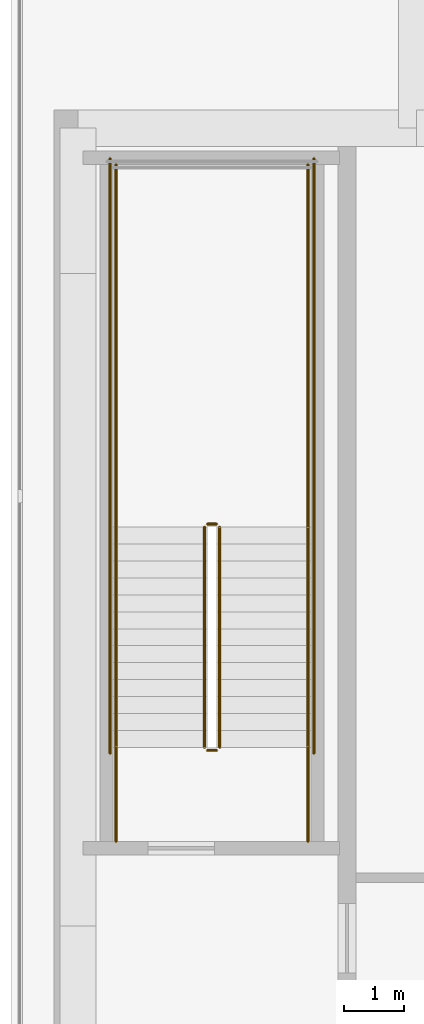
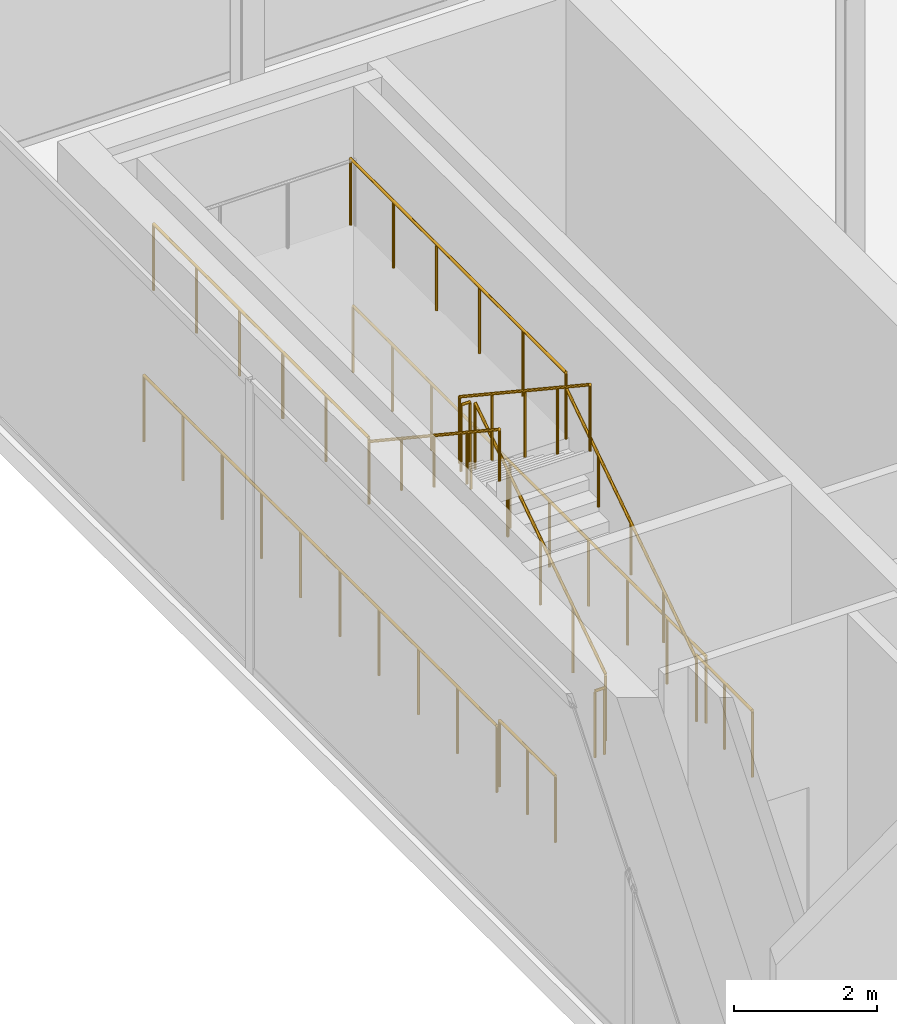
# One storey, part 12 of 14: 12 railings.
"""IFC4 building model written with IfcOpenShell, lengths in metres."""

import ifcopenshell
import ifcopenshell.guid

model = None  # the IFC model being written
_history = None  # IfcOwnerHistory: only IFC2X3 demands one
_inside = {}  # id of a spatial element -> (the spatial element, [elements in it])
_under = {}  # id of a project, library or spatial element -> (it, [spatial elements below it])
_declared = {}  # id of a project -> (the project, [libraries it declares])
_typed = {}  # id of a type object -> (the type object, [elements of that type])
_made_of = {}  # id of a material, layer set ... -> (it, [elements and type objects made of it])


def new_model(schema):
    """Start an empty IFC model of exactly this schema.

    Asked for "IFC4X3", IfcOpenShell would pick the latest addendum, in which some entities
    have other attributes; the version numbers below select the first issue.
    IFC2X3 requires an IfcOwnerHistory on every rooted entity: one is made here for all.
    """
    global model, _history
    if schema == "IFC4X3":
        model = ifcopenshell.file(schema_version=(4, 3, 0, 0))
    else:
        model = ifcopenshell.file(schema=schema)
    _inside.clear()
    _under.clear()
    _declared.clear()
    _typed.clear()
    _made_of.clear()
    _history = None
    if model.schema == "IFC2X3":
        org = make("IfcOrganization", Name="unknown")
        user = make(
            "IfcPersonAndOrganization",
            ThePerson=make("IfcPerson", FamilyName="unknown"),
            TheOrganization=org,
        )
        app = make(
            "IfcApplication",
            ApplicationDeveloper=org,
            Version="unknown",
            ApplicationFullName="unknown",
            ApplicationIdentifier="unknown",
        )
        _history = make(
            "IfcOwnerHistory",
            OwningUser=user,
            OwningApplication=app,
            ChangeAction="ADDED",
            CreationDate=0,
        )
    return model


def make(cls, **values):
    """One entity of the class cls with the attributes given. An attribute that is None is left unset."""
    return model.create_entity(
        cls, **{name: value for name, value in values.items() if value is not None}
    )


def rooted(cls, **values):
    """An entity with a GlobalId (a new one), such as an element, a storey or a relation."""
    return make(cls, GlobalId=ifcopenshell.guid.new(), OwnerHistory=_history, **values)


def si_unit(unit_type, name, prefix=None):
    """IfcSIUnit, for example si_unit("LENGTHUNIT", "METRE", prefix="MILLI")."""
    return make("IfcSIUnit", UnitType=unit_type, Prefix=prefix, Name=name)


def assignment(units):
    """IfcUnitAssignment: the units of a project."""
    return None if units is None else make("IfcUnitAssignment", Units=units)


def point(xyz):
    """IfcCartesianPoint."""
    return None if xyz is None else make("IfcCartesianPoint", Coordinates=xyz)


def direction(xyz):
    """IfcDirection."""
    return None if xyz is None else make("IfcDirection", DirectionRatios=xyz)


def frame(location, z_axis=None, x_axis=None):
    """IfcAxis2Placement3D, a coordinate frame: its origin and axes. An axis left out is left unset."""
    return make(
        "IfcAxis2Placement3D",
        Location=point(location),
        Axis=direction(z_axis),
        RefDirection=direction(x_axis),
    )


def frame_2d(location, x_axis=None):
    """IfcAxis2Placement2D, a coordinate frame in the plane: its origin and x axis."""
    return make(
        "IfcAxis2Placement2D", Location=point(location), RefDirection=direction(x_axis)
    )


def origin():
    """The frame at (0, 0, 0) with its axes left unset."""
    return frame((0.0, 0.0, 0.0))


def origin_2d():
    """The frame at (0, 0) in the plane with its x axis left unset."""
    return frame_2d((0.0, 0.0))


def place(relative_to, where):
    """IfcLocalPlacement: puts the frame where relative to a parent placement (None: the world)."""
    return make(
        "IfcLocalPlacement", PlacementRelTo=relative_to, RelativePlacement=where
    )


def context(
    kind, dimensions, precision=None, world=None, true_north=None, identifier=None
):
    """IfcGeometricRepresentationContext, for example the 3D "Model" context."""
    return make(
        "IfcGeometricRepresentationContext",
        ContextIdentifier=identifier,
        ContextType=kind,
        CoordinateSpaceDimension=dimensions,
        Precision=precision,
        WorldCoordinateSystem=world,
        TrueNorth=true_north,
    )


def subcontext(parent, identifier, kind, view, scale=None):
    """IfcGeometricRepresentationSubContext, for example "Body" below "Model"."""
    return make(
        "IfcGeometricRepresentationSubContext",
        ContextIdentifier=identifier,
        ContextType=kind,
        ParentContext=parent,
        TargetScale=scale,
        TargetView=view,
    )


def project(units=None, contexts=None):
    """IfcProject with its units and contexts."""
    return rooted(
        "IfcProject",
        Name="project",
        RepresentationContexts=contexts,
        UnitsInContext=assignment(units),
    )


def spatial(cls, under=None, at=None, **own):
    """A site, building, storey or space (cls), placed at a placement, below another one or the project."""
    s = rooted(cls, ObjectPlacement=at, **own)
    if under is not None:
        _under.setdefault(under.id(), (under, []))[1].append(s)
    return s


def profile(cls, at=None, kind="AREA", **sizes):
    """A parametric profile (cls). Its sizes go by their IFC names, for example OverallWidth=200.0."""
    return make(cls, ProfileType=kind, Position=at, **sizes)


def circle(**sizes):
    """IfcCircleProfileDef."""
    return profile("IfcCircleProfileDef", **sizes)


def extrude(swept, where, along, depth):
    """IfcExtrudedAreaSolid: the profile swept, set in the frame where, extruded along a direction by depth."""
    return make(
        "IfcExtrudedAreaSolid",
        SweptArea=swept,
        Position=where,
        ExtrudedDirection=direction(along),
        Depth=depth,
    )


def shape(context_of_items, identifier, shape_type, items):
    """IfcShapeRepresentation: the items that make up one representation, for example the "Body"."""
    return make(
        "IfcShapeRepresentation",
        ContextOfItems=context_of_items,
        RepresentationIdentifier=identifier,
        RepresentationType=shape_type,
        Items=items,
    )


def material(Name=None, Category=None):
    """IfcMaterial."""
    return make("IfcMaterial", Name=Name, Category=Category)


def made_of(thing, what):
    """Note that an element or type object is made of a material, layer set ...; save() writes the relation."""
    if what is not None:
        _made_of.setdefault(what.id(), (what, []))[1].append(thing)
    return thing


def type_object(cls, material=None, **own):
    """A type object (cls), such as IfcWallType, which elements share."""
    return made_of(rooted(cls, **own), material)


def element(
    cls,
    number,
    at=None,
    inside=None,
    cuts=None,
    type_object=None,
    material=None,
    context=None,
    identifier="Body",
    shape_type=None,
    held_by="IfcProductDefinitionShape",
    body=None,
    shapes=None,
    **own,
):
    """One element of the class cls, such as IfcWall. Its Tag is "e" and its number.

    at: its placement. inside: the storey or other place that contains it. cuts: it is an
    opening in that element (IfcRelVoidsElement). A single representation is given by context,
    identifier, shape_type and body (its items); several are given by shapes. held_by: the class
    of the entity that holds the representations. save() writes the other relations.
    """
    e = rooted(cls, Tag="e%d" % number, ObjectPlacement=at, **own)
    if body is not None:
        shapes = [shape(context, identifier, shape_type, body)]
    if shapes is not None:
        e.Representation = make(held_by, Representations=shapes)
    if inside is not None:
        _inside.setdefault(inside.id(), (inside, []))[1].append(e)
    if cuts is not None:
        rooted(
            "IfcRelVoidsElement", RelatingBuildingElement=cuts, RelatedOpeningElement=e
        )
    if type_object is not None:
        _typed.setdefault(type_object.id(), (type_object, []))[1].append(e)
    return made_of(e, material)


def aggregate(whole, parts):
    """IfcRelAggregates: a whole, such as a stair, and the parts it consists of."""
    return rooted("IfcRelAggregates", RelatingObject=whole, RelatedObjects=parts)


def save(model, path):
    """Write the relations noted so far, then the file.

    IfcRelAggregates (storeys below a building ...), IfcRelContainedInSpatialStructure (elements
    in a storey), IfcRelDefinesByType, IfcRelAssociatesMaterial and IfcRelDeclares: one each for
    every whole, place, type object, material and project.
    """
    for whole, parts in _under.values():
        aggregate(whole, parts)
    for where, things in _inside.values():
        rooted(
            "IfcRelContainedInSpatialStructure",
            RelatedElements=things,
            RelatingStructure=where,
        )
    for kind, things in _typed.values():
        rooted("IfcRelDefinesByType", RelatedObjects=things, RelatingType=kind)
    for what, things in _made_of.values():
        rooted("IfcRelAssociatesMaterial", RelatedObjects=things, RelatingMaterial=what)
    for by, libraries in _declared.values():
        rooted("IfcRelDeclares", RelatingContext=by, RelatedDefinitions=libraries)
    model.write(path)


model = new_model("IFC4")

# Units and contexts
model_context = context("Model", 3, precision=1e-05, world=origin(), true_north=direction((0.0, 1.0)))
body_context = subcontext(model_context, "Body", "Model", "MODEL_VIEW")
ifc_project = project(units=[si_unit("LENGTHUNIT", "METRE"), si_unit("AREAUNIT", "SQUARE_METRE"), si_unit("VOLUMEUNIT", "CUBIC_METRE"), si_unit("PLANEANGLEUNIT", "RADIAN"), si_unit("MASSUNIT", "GRAM", prefix="KILO")], contexts=[model_context])

# Site, building, storey
site_placement = place(None, origin())
site = spatial("IfcSite", under=ifc_project, at=site_placement, CompositionType="ELEMENT")
building_placement = place(site_placement, origin())
building = spatial("IfcBuilding", under=site, at=building_placement, Name="Khairoan Windgate Tower", CompositionType="ELEMENT")
storey_placement = place(building_placement, frame((0.0, 0.0, 325.199951171875)))
storey = spatial("IfcBuildingStorey", under=building, at=storey_placement, Name="L78", CompositionType="ELEMENT", Elevation=325.199951171875)

# Railings
ifc_material_1 = material(Name="Anodised Bronze Aluminium 6063-T6", Category="aluminium")
railing_type_1 = type_object("IfcRailingType", Name="Stair Wall Handrail SHR-900", PredefinedType="HANDRAIL", material=ifc_material_1)
railing_1_placement = place(storey_placement, frame((-16.199951171875, 2.9599609375, 0.185791015625)))
element("IfcRailing", 1, at=railing_1_placement, inside=storey, type_object=railing_type_1, Name="L78 ST2 stair handrail 1", PredefinedType="HANDRAIL", context=body_context, shape_type="SweptSolid", body=[
    extrude(circle(Radius=0.02392578125, at=origin_2d()), frame((0.0, 0.0, 0.8759765625), z_axis=(0.0, 0.833363587613, 0.552725185641), x_axis=(-1.0, 0.0, 0.0)), (0.0, 0.0, 1.0), 4.367919921875),
    extrude(circle(Radius=0.02099609375, at=origin_2d()), origin(), (0.0, 0.0, 1.0), 0.851806640625),
    extrude(circle(Radius=0.02099609375, at=origin_2d()), frame((0.0, 0.91015625, 0.603515625)), (0.0, 0.0, 1.0), 0.851806640625),
    extrude(circle(Radius=0.02099609375, at=origin_2d()), frame((0.0, 1.820068359375, 1.20703125)), (0.0, 0.0, 1.0), 0.851806640625),
    extrude(circle(Radius=0.02099609375, at=origin_2d()), frame((0.0, 2.72998046875, 1.810791015625)), (0.0, 0.0, 1.0), 0.851806640625),
    extrude(circle(Radius=0.02099609375, at=origin_2d()), frame((0.0, 3.64013671875, 2.414306640625)), (0.0, 0.0, 1.0), 0.851806640625),
])
railing_2_placement = place(storey_placement, frame((-19.3701171875, 6.60009765625, 2.78564453125)))
element("IfcRailing", 2, at=railing_2_placement, inside=storey, type_object=railing_type_1, Name="L78 ST2 stair handrail 2", PredefinedType="HANDRAIL", context=body_context, shape_type="SweptSolid", body=[
    extrude(circle(Radius=0.02392578125, at=origin_2d()), frame((0.0, 0.0, 0.8759765625), z_axis=(0.0, -0.833363587613, 0.552725185641), x_axis=(1.0, 0.0, 0.0)), (0.0, 0.0, 1.0), 4.367919921875),
    extrude(circle(Radius=0.02099609375, at=origin_2d()), origin(), (0.0, 0.0, 1.0), 0.851806640625),
    extrude(circle(Radius=0.02099609375, at=origin_2d()), frame((0.0, -0.91015625, 0.603515625)), (0.0, 0.0, 1.0), 0.851806640625),
    extrude(circle(Radius=0.02099609375, at=origin_2d()), frame((0.0, -1.820068359375, 1.20703125)), (0.0, 0.0, 1.0), 0.851806640625),
    extrude(circle(Radius=0.02099609375, at=origin_2d()), frame((0.0, -2.72998046875, 1.810791015625)), (0.0, 0.0, 1.0), 0.851806640625),
    extrude(circle(Radius=0.02099609375, at=origin_2d()), frame((0.0, -3.64013671875, 2.414306640625)), (0.0, 0.0, 1.0), 0.851806640625),
])
ifc_material_2 = material(Name="Steel S355", Category="steel")
railing_type_2 = type_object("IfcRailingType", Name="Stairwell Safety Guardrail SGR-1150", PredefinedType="GUARDRAIL", material=ifc_material_2)
railing_3_placement = place(storey_placement, frame((-17.659912109375, 2.9599609375, 0.185791015625)))
element("IfcRailing", 3, at=railing_3_placement, inside=storey, type_object=railing_type_2, Name="L78 ST2 stair guard 1", PredefinedType="GUARDRAIL", context=body_context, shape_type="SweptSolid", body=[
    extrude(circle(Radius=0.02392578125, at=origin_2d()), frame((0.0, 0.0, 1.1259765625), z_axis=(0.0, 0.833363587613, 0.552725185641), x_axis=(-1.0, 0.0, 0.0)), (0.0, 0.0, 1.0), 4.367919921875),
    extrude(circle(Radius=0.02099609375, at=origin_2d()), origin(), (0.0, 0.0, 1.0), 1.101806640625),
    extrude(circle(Radius=0.02099609375, at=origin_2d()), frame((0.0, 0.91015625, 0.603515625)), (0.0, 0.0, 1.0), 1.101806640625),
    extrude(circle(Radius=0.02099609375, at=origin_2d()), frame((0.0, 1.820068359375, 1.20703125)), (0.0, 0.0, 1.0), 1.101806640625),
    extrude(circle(Radius=0.02099609375, at=origin_2d()), frame((0.0, 2.72998046875, 1.810791015625)), (0.0, 0.0, 1.0), 1.101806640625),
    extrude(circle(Radius=0.02099609375, at=origin_2d()), frame((0.0, 3.64013671875, 2.414306640625)), (0.0, 0.0, 1.0), 1.101806640625),
])
railing_4_placement = place(storey_placement, frame((-17.7099609375, 6.64990234375, 2.60009765625)))
element("IfcRailing", 4, at=railing_4_placement, inside=storey, type_object=railing_type_2, Name="L78 ST2 stair guard 2", PredefinedType="GUARDRAIL", context=body_context, shape_type="SweptSolid", body=[
    extrude(circle(Radius=0.02392578125, at=origin_2d()), frame((0.0, 0.0, 1.1259765625), z_axis=(-1.0, 0.0, 0.0), x_axis=(0.0, -1.0, 0.0)), (0.0, 0.0, 1.0), 0.150146484375),
    extrude(circle(Radius=0.02099609375, at=origin_2d()), origin(), (0.0, 0.0, 1.0), 1.101806640625),
    extrude(circle(Radius=0.02099609375, at=origin_2d()), frame((-0.150146484375, 0.0, 0.0)), (0.0, 0.0, 1.0), 1.101806640625),
])
for number, where, name in (
    (5, (-16.199951171875, 6.60009765625, 2.60009765625), "L78 ST2 stair guard 3"),
    (6, (-19.3701171875, 6.60009765625, 2.60009765625), "L78 ST2 stair guard 4"),
):
    element("IfcRailing", number, at=place(storey_placement, frame(where)), inside=storey, type_object=railing_type_2, Name=name, PredefinedType="GUARDRAIL", context=body_context, shape_type="SweptSolid", body=[
        extrude(circle(Radius=0.02392578125, at=origin_2d()), frame((0.0, 0.0, 1.1259765625), z_axis=(0.0, 1.0, 0.0), x_axis=(-1.0, 0.0, 0.0)), (0.0, 0.0, 1.0), 6.0),
        extrude(circle(Radius=0.02099609375, at=origin_2d()), origin(), (0.0, 0.0, 1.0), 1.101806640625),
        extrude(circle(Radius=0.02099609375, at=origin_2d()), frame((0.0, 1.199951171875, 0.0)), (0.0, 0.0, 1.0), 1.101806640625),
        extrude(circle(Radius=0.02099609375, at=origin_2d()), frame((0.0, 2.39990234375, 0.0)), (0.0, 0.0, 1.0), 1.101806640625),
        extrude(circle(Radius=0.02099609375, at=origin_2d()), frame((0.0, 3.60009765625, 0.0)), (0.0, 0.0, 1.0), 1.101806640625),
        extrude(circle(Radius=0.02099609375, at=origin_2d()), frame((0.0, 4.800048828125, 0.0)), (0.0, 0.0, 1.0), 1.101806640625),
        extrude(circle(Radius=0.02099609375, at=origin_2d()), frame((0.0, 6.0, 0.0)), (0.0, 0.0, 1.0), 1.101806640625),
    ])
railing_5_placement = place(storey_placement, frame((-17.909912109375, 6.60009765625, 2.78564453125)))
element("IfcRailing", 7, at=railing_5_placement, inside=storey, type_object=railing_type_2, Name="L78 ST2 stair guard 6", PredefinedType="GUARDRAIL", context=body_context, shape_type="SweptSolid", body=[
    extrude(circle(Radius=0.02392578125, at=origin_2d()), frame((0.0, 0.0, 1.1259765625), z_axis=(0.0, -0.833363587613, 0.552725185641), x_axis=(1.0, 0.0, 0.0)), (0.0, 0.0, 1.0), 4.367919921875),
    extrude(circle(Radius=0.02099609375, at=origin_2d()), origin(), (0.0, 0.0, 1.0), 1.101806640625),
    extrude(circle(Radius=0.02099609375, at=origin_2d()), frame((0.0, -0.91015625, 0.603515625)), (0.0, 0.0, 1.0), 1.101806640625),
    extrude(circle(Radius=0.02099609375, at=origin_2d()), frame((0.0, -1.820068359375, 1.20703125)), (0.0, 0.0, 1.0), 1.101806640625),
    extrude(circle(Radius=0.02099609375, at=origin_2d()), frame((0.0, -2.72998046875, 1.810791015625)), (0.0, 0.0, 1.0), 1.101806640625),
    extrude(circle(Radius=0.02099609375, at=origin_2d()), frame((0.0, -3.64013671875, 2.414306640625)), (0.0, 0.0, 1.0), 1.101806640625),
])
railing_6_placement = place(storey_placement, frame((-17.7099609375, 2.909912109375, 0.0)))
element("IfcRailing", 8, at=railing_6_placement, inside=storey, type_object=railing_type_2, Name="L78 ST2 stair guard 7", PredefinedType="GUARDRAIL", context=body_context, shape_type="SweptSolid", body=[
    extrude(circle(Radius=0.02392578125, at=origin_2d()), frame((0.0, 0.0, 1.1259765625), z_axis=(-1.0, 0.0, 0.0), x_axis=(0.0, -1.0, 0.0)), (0.0, 0.0, 1.0), 0.150146484375),
    extrude(circle(Radius=0.02099609375, at=origin_2d()), origin(), (0.0, 0.0, 1.0), 1.101806640625),
    extrude(circle(Radius=0.02099609375, at=origin_2d()), frame((-0.150146484375, 0.0, 0.0)), (0.0, 0.0, 1.0), 1.101806640625),
])
for number, where, name in (
    (9, (-16.199951171875, 1.39990234375, 0.0), "L78 ST2 stair guard 8"),
    (10, (-19.3701171875, 1.39990234375, 0.0), "L78 ST2 stair guard 9"),
):
    element("IfcRailing", number, at=place(storey_placement, frame(where)), inside=storey, type_object=railing_type_2, Name=name, PredefinedType="GUARDRAIL", context=body_context, shape_type="SweptSolid", body=[
        extrude(circle(Radius=0.02392578125, at=origin_2d()), frame((0.0, 0.0, 1.1259765625), z_axis=(0.0, 1.0, 0.0), x_axis=(-1.0, 0.0, 0.0)), (0.0, 0.0, 1.0), 1.56005859375),
        extrude(circle(Radius=0.02099609375, at=origin_2d()), origin(), (0.0, 0.0, 1.0), 1.101806640625),
        extrude(circle(Radius=0.02099609375, at=origin_2d()), frame((0.0, 0.780029296875, 0.0)), (0.0, 0.0, 1.0), 1.101806640625),
        extrude(circle(Radius=0.02099609375, at=origin_2d()), frame((0.0, 1.56005859375, 0.0)), (0.0, 0.0, 1.0), 1.101806640625),
    ])
for number, where, name in (
    (11, (-16.10009765625, 2.860107421875, 0.0), "L78 ST2 stair guard 10"),
    (12, (-19.469970703125, 2.860107421875, 0.0), "L78 ST2 stair guard 11"),
):
    element("IfcRailing", number, at=place(storey_placement, frame(where)), inside=storey, type_object=railing_type_2, Name=name, PredefinedType="GUARDRAIL", context=body_context, shape_type="SweptSolid", body=[
        extrude(circle(Radius=0.02392578125, at=origin_2d()), frame((0.0, 0.0, 1.1259765625), z_axis=(0.0, 1.0, 0.0), x_axis=(-1.0, 0.0, 0.0)), (0.0, 0.0, 1.0), 9.83984375),
        extrude(circle(Radius=0.02099609375, at=origin_2d()), origin(), (0.0, 0.0, 1.0), 1.101806640625),
        extrude(circle(Radius=0.02099609375, at=origin_2d()), frame((0.0, 1.09326171875, 0.0)), (0.0, 0.0, 1.0), 1.101806640625),
        extrude(circle(Radius=0.02099609375, at=origin_2d()), frame((0.0, 2.1865234375, 0.0)), (0.0, 0.0, 1.0), 1.101806640625),
        extrude(circle(Radius=0.02099609375, at=origin_2d()), frame((0.0, 3.280029296875, 0.0)), (0.0, 0.0, 1.0), 1.101806640625),
        extrude(circle(Radius=0.02099609375, at=origin_2d()), frame((0.0, 4.373291015625, 0.0)), (0.0, 0.0, 1.0), 1.101806640625),
        extrude(circle(Radius=0.02099609375, at=origin_2d()), frame((0.0, 5.466552734375, 0.0)), (0.0, 0.0, 1.0), 1.101806640625),
        extrude(circle(Radius=0.02099609375, at=origin_2d()), frame((0.0, 6.559814453125, 0.0)), (0.0, 0.0, 1.0), 1.101806640625),
        extrude(circle(Radius=0.02099609375, at=origin_2d()), frame((0.0, 7.6533203125, 0.0)), (0.0, 0.0, 1.0), 1.101806640625),
        extrude(circle(Radius=0.02099609375, at=origin_2d()), frame((0.0, 8.74658203125, 0.0)), (0.0, 0.0, 1.0), 1.101806640625),
        extrude(circle(Radius=0.02099609375, at=origin_2d()), frame((0.0, 9.83984375, 0.0)), (0.0, 0.0, 1.0), 1.101806640625),
    ])

save(model, "model.ifc")
